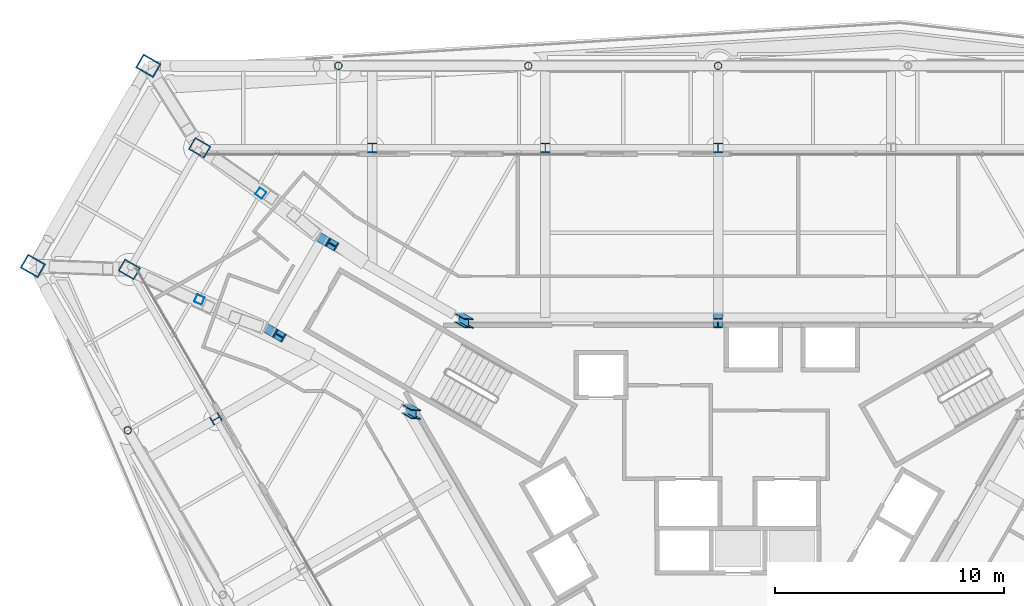
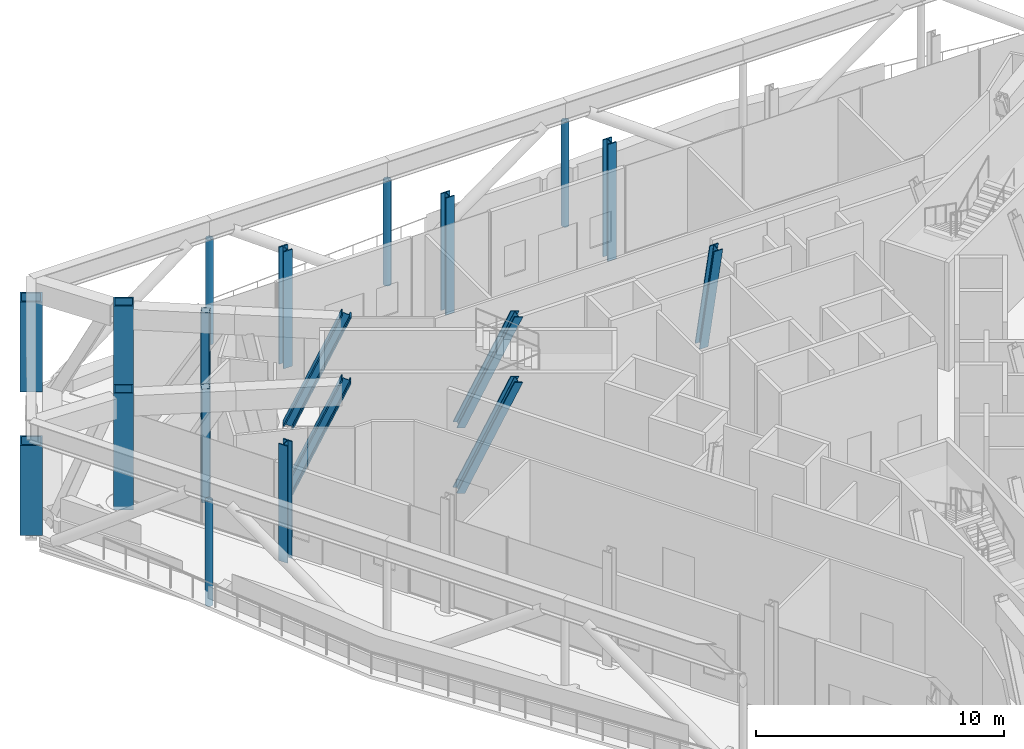
# One storey, part 3 of 25: 19 columns.
"""IFC4 building model written with IfcOpenShell, lengths in metres."""

from ifc_helpers import new_model, si_unit, direction, frame, origin, origin_2d, place, context, subcontext, project, spatial, hollow_rectangle, hollow_circle, i_section, extrude, material, material_profile, profile_set, type_object, element, save


model = new_model("IFC4")

# Units and contexts
model_context = context("Model", 3, precision=1e-05, world=origin(), true_north=direction((0.0, 1.0)))
body_context = subcontext(model_context, "Body", "Model", "MODEL_VIEW")
ifc_project = project(units=[si_unit("LENGTHUNIT", "METRE"), si_unit("AREAUNIT", "SQUARE_METRE"), si_unit("VOLUMEUNIT", "CUBIC_METRE"), si_unit("PLANEANGLEUNIT", "RADIAN"), si_unit("MASSUNIT", "GRAM", prefix="KILO")], contexts=[model_context])

# Site, building, storey
site_placement = place(None, origin())
site = spatial("IfcSite", under=ifc_project, at=site_placement, CompositionType="ELEMENT")
building_placement = place(site_placement, origin())
building = spatial("IfcBuilding", under=site, at=building_placement, Name="Verrane Prism Tower", CompositionType="ELEMENT")
storey_placement = place(building_placement, frame((0.0, 0.0, 143.199951171875)))
storey = spatial("IfcBuildingStorey", under=building, at=storey_placement, Name="L35", CompositionType="ELEMENT", Elevation=143.199951171875)

# Columns
ifc_material_1 = material(Name="Steel A500 Grade C", Category="steel")
ifc_material_profile_1 = material_profile(ifc_material_1, hollow_circle(Radius=0.16259765625, WallThickness=0.0126953125, at=origin_2d()), Name="HSS12.750x0.500")
ifc_profile_set_1 = profile_set([ifc_material_profile_1], Name="Steel A500 Grade C")
column_type_1 = type_object("IfcColumnType", Name="Belt truss post HSS12.750x0.500", PredefinedType="COLUMN", material=ifc_profile_set_1)
for number, where, z_axis, x_axis, name in (
    (1, (0.0, 20.18994140625, -0.72998046875), (0.0, 0.0, 1.0), (1.0, 0.0, 0.0), "Belt truss post L35"),
    (2, (-8.2900390625, 20.18994140625, -0.72998046875), (0.0, 0.0, 1.0), (1.0, 0.0, 0.0), "Belt truss post L35"),
    (3, (-16.580078125, 20.18994140625, -0.72998046875), (0.0, 0.0, 1.0), (1.0, 0.0, 0.0), "Belt truss post L35"),
    (4, (-25.780029296875, 4.27001953125, -0.72998046875), (0.0, 0.0, 1.0), (-0.5, 0.866025403784, 0.0), "Belt truss post L35"),
):
    element("IfcColumn", number, at=place(storey_placement, frame(where, z_axis=z_axis, x_axis=x_axis)), inside=storey, type_object=column_type_1, Name=name, PredefinedType="COLUMN", context=body_context, shape_type="SweptSolid", body=[
        extrude(hollow_circle(Radius=0.16259765625, WallThickness=0.0126953125, at=origin_2d()), origin(), (0.0, 0.0, 1.0), 5.169921875),
    ])
ifc_material_2 = material(Name="Steel A992", Category="steel")
ifc_material_profile_2 = material_profile(ifc_material_2, i_section(OverallWidth=0.411376953125, OverallDepth=0.434326171875, WebThickness=0.035888671875, FlangeThickness=0.057373046875, FilletRadius=0.01513671875, at=origin_2d()), Name="W14x311")
ifc_profile_set_2 = profile_set([ifc_material_profile_2], Name="Steel A992")
column_type_2 = type_object("IfcColumnType", Name="Core corner column W14x311", PredefinedType="COLUMN", material=ifc_profile_set_2)
for number, where, z_axis, x_axis, name in (
    (5, (-17.279541015625, 12.628173828125, 0.054931640625), (0.341344894108, -0.196910883598, 0.919080936146), (0.499964404976, 0.866045942682, -0.000137555964), "Core corner column CK-NWm L35"),
    (6, (-19.57958984375, 8.648193359375, 0.054931640625), (0.341378253674, -0.196947420622, 0.919060716943), (0.499997314548, 0.866026943298, -0.000137572424), "Core corner column CK-NWp L35"),
):
    element("IfcColumn", number, at=place(storey_placement, frame(where, z_axis=z_axis, x_axis=x_axis)), inside=storey, type_object=column_type_2, Name=name, PredefinedType="COLUMN", context=body_context, shape_type="SweptSolid", body=[
        extrude(i_section(OverallWidth=0.411376953125, OverallDepth=0.434326171875, WebThickness=0.035888671875, FlangeThickness=0.057373046875, FilletRadius=0.01513671875, at=origin_2d()), origin(), (0.0, 0.0, 1.0), 5.9736328125),
    ])
ifc_material_3 = material(Name="Steel A992", Category="steel")
ifc_material_profile_3 = material_profile(ifc_material_3, i_section(OverallWidth=0.4013671875, OverallDepth=0.398681640625, WebThickness=0.02490234375, FlangeThickness=0.03955078125, FilletRadius=0.01513671875, at=origin_2d()), Name="W14x211")
ifc_profile_set_3 = profile_set([ifc_material_profile_3], Name="Steel A992")
column_type_3 = type_object("IfcColumnType", Name="Core side column W14x211", PredefinedType="COLUMN", material=ifc_profile_set_3)
column_placement = place(storey_placement, frame((0.0, 9.1923828125, 0.03515625), z_axis=(0.0, -0.209505502941, 0.977807467878), x_axis=(1.0, 0.0, 0.0)))
element("IfcColumn", 7, at=column_placement, inside=storey, type_object=column_type_3, Name="Core side column CC-N0 L35", PredefinedType="COLUMN", context=body_context, shape_type="SweptSolid", body=[
    extrude(i_section(OverallWidth=0.4013671875, OverallDepth=0.398681640625, WebThickness=0.02490234375, FlangeThickness=0.03955078125, FilletRadius=0.01513671875, at=origin_2d()), origin(), (0.0, 0.0, 1.0), 5.6552734375),
])
for number, where, z_axis, x_axis, name in (
    (8, (-11.305908203125, 9.18603515625, 0.06494140625), (0.339909019548, -0.197042164073, 0.91958482154), (0.937974546655, 1.0953878e-05, -0.346704124156), "Core side column CC-NWm L35"),
    (9, (-13.60595703125, 5.2060546875, 0.06494140625), (0.339909019548, -0.197042164073, 0.91958482154), (0.937974546655, 1.0953878e-05, -0.346704124156), "Core side column CC-NWp L35"),
):
    element("IfcColumn", number, at=place(storey_placement, frame(where, z_axis=z_axis, x_axis=x_axis)), inside=storey, type_object=column_type_3, Name=name, PredefinedType="COLUMN", context=body_context, shape_type="SweptSolid", body=[
        extrude(i_section(OverallWidth=0.4013671875, OverallDepth=0.398681640625, WebThickness=0.02490234375, FlangeThickness=0.03955078125, FilletRadius=0.01513671875, at=origin_2d()), origin(), (0.0, 0.0, 1.0), 5.948486328125),
    ])
ifc_material_4 = material(Name="Steel A572 Grade 50", Category="steel")
ifc_material_profile_4 = material_profile(ifc_material_4, hollow_rectangle(XDim=0.60009765625, YDim=0.800048828125, WallThickness=0.050048828125, at=origin_2d()), Name="BOX 800x600x50")
ifc_profile_set_4 = profile_set([ifc_material_profile_4], Name="Steel A572 Grade 50")
column_type_4 = type_object("IfcColumnType", Name="Megacolumn BOX 800x600x50", PredefinedType="COLUMN", material=ifc_profile_set_4)
for number, where, z_axis, x_axis, name in (
    (10, (-22.639892578125, 16.610107421875, -0.159912109375), (0.0, 0.0, 1.0), (0.5, 0.866025403784, 0.0), "Megacolumn MC-NW.a L35"),
    (11, (-25.7099609375, 11.300048828125, -0.159912109375), (0.0, 0.0, 1.0), (0.5, 0.866025403784, 0.0), "Megacolumn MC-NW.b L35"),
):
    element("IfcColumn", number, at=place(storey_placement, frame(where, z_axis=z_axis, x_axis=x_axis)), inside=storey, type_object=column_type_4, Name=name, PredefinedType="COLUMN", context=body_context, shape_type="SweptSolid", body=[
        extrude(hollow_rectangle(XDim=0.60009765625, YDim=0.800048828125, WallThickness=0.050048828125, at=origin_2d()), origin(), (0.0, 0.0, 1.0), 5.760009765625),
    ])
ifc_material_5 = material(Name="Steel A572 Grade 50", Category="steel")
ifc_material_profile_5 = material_profile(ifc_material_5, hollow_rectangle(XDim=0.699951171875, YDim=0.89990234375, WallThickness=0.06494140625, at=origin_2d()), Name="BOX 900x700x65")
ifc_profile_set_5 = profile_set([ifc_material_profile_5], Name="Steel A572 Grade 50")
column_type_5 = type_object("IfcColumnType", Name="Megacolumn BOX 900x700x65", PredefinedType="COLUMN", material=ifc_profile_set_5)
for number, where, z_axis, x_axis, name in (
    (12, (-24.8798828125, 20.18994140625, 0.0), (0.0, 0.0, 1.0), (0.5, 0.866025403784, 0.0), "Megacolumn MC-NW.a@out L35"),
    (13, (-29.919921875, 11.449951171875, 0.0), (0.0, 0.0, 1.0), (0.5, 0.866025403784, 0.0), "Megacolumn MC-NW.b@out L35"),
):
    element("IfcColumn", number, at=place(storey_placement, frame(where, z_axis=z_axis, x_axis=x_axis)), inside=storey, type_object=column_type_5, Name=name, PredefinedType="COLUMN", context=body_context, shape_type="SweptSolid", body=[
        extrude(hollow_rectangle(XDim=0.699951171875, YDim=0.89990234375, WallThickness=0.06494140625, at=origin_2d()), origin(), (0.0, 0.0, 1.0), 4.43994140625),
    ])
ifc_material_6 = material(Name="Steel A500 Grade C", Category="steel")
ifc_material_profile_6 = material_profile(ifc_material_6, hollow_rectangle(XDim=0.355712890625, YDim=0.355712890625, WallThickness=0.0126953125, InnerFilletRadius=0.00634765625, OuterFilletRadius=0.01904296875, at=origin_2d()), Name="HSS14x14x1/2")
ifc_profile_set_6 = profile_set([ifc_material_profile_6], Name="Steel A500 Grade C")
column_type_6 = type_object("IfcColumnType", Name="Outrigger truss post HSS14x14x1/2", PredefinedType="COLUMN", material=ifc_profile_set_6)
for number, where, z_axis, x_axis, name in (
    (14, (-19.969970703125, 14.625, -0.159912109375), (0.0, 0.0, 1.0), (-0.596628339704, -0.802517678473, 0.0), "Outrigger truss post L35"),
    (15, (-22.655029296875, 9.97998046875, -0.159912109375), (0.0, 0.0, 1.0), (-0.396636860013, -0.917975599501, 0.0), "Outrigger truss post L35"),
):
    element("IfcColumn", number, at=place(storey_placement, frame(where, z_axis=z_axis, x_axis=x_axis)), inside=storey, type_object=column_type_6, Name=name, PredefinedType="COLUMN", context=body_context, shape_type="SweptSolid", body=[
        extrude(hollow_rectangle(XDim=0.355712890625, YDim=0.355712890625, WallThickness=0.0126953125, InnerFilletRadius=0.00634765625, OuterFilletRadius=0.01904296875, at=origin_2d()), origin(), (0.0, 0.0, 1.0), 5.599853515625),
    ])
ifc_material_7 = material(Name="Steel A992", Category="steel")
ifc_material_profile_7 = material_profile(ifc_material_7, i_section(OverallWidth=0.411376953125, OverallDepth=0.434326171875, WebThickness=0.035888671875, FlangeThickness=0.057373046875, FilletRadius=0.01513671875, at=origin_2d()), Name="W14x311")
ifc_profile_set_7 = profile_set([ifc_material_profile_7], Name="Steel A992")
column_type_7 = type_object("IfcColumnType", Name="Perimeter column W14x311", PredefinedType="COLUMN", material=ifc_profile_set_7)
for number, where, z_axis, x_axis, name in (
    (16, (0.0, 16.610107421875, -0.159912109375), (0.0, 0.0, 1.0), (1.0, 0.0, 0.0), "Perimeter column PC-N3 L35"),
    (17, (-7.550048828125, 16.610107421875, -0.159912109375), (0.0, 0.0, 1.0), (1.0, 0.0, 0.0), "Perimeter column PC-N4 L35"),
    (18, (-15.10009765625, 16.610107421875, -0.159912109375), (0.0, 0.0, 1.0), (1.0, 0.0, 0.0), "Perimeter column PC-N5 L35"),
    (19, (-21.929931640625, 4.77001953125, -0.159912109375), (0.0, 0.0, 1.0), (-0.5, 0.866025403784, 0.0), "Perimeter column PC-SW1 L35"),
):
    element("IfcColumn", number, at=place(storey_placement, frame(where, z_axis=z_axis, x_axis=x_axis)), inside=storey, type_object=column_type_7, Name=name, PredefinedType="COLUMN", context=body_context, shape_type="SweptSolid", body=[
        extrude(i_section(OverallWidth=0.411376953125, OverallDepth=0.434326171875, WebThickness=0.035888671875, FlangeThickness=0.057373046875, FilletRadius=0.01513671875, at=origin_2d()), origin(), (0.0, 0.0, 1.0), 5.760009765625),
    ])

save(model, "model.ifc")
